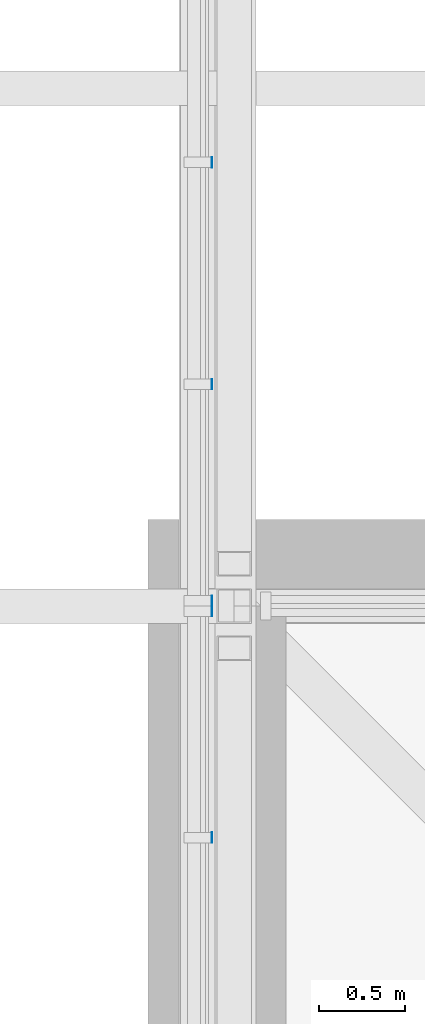
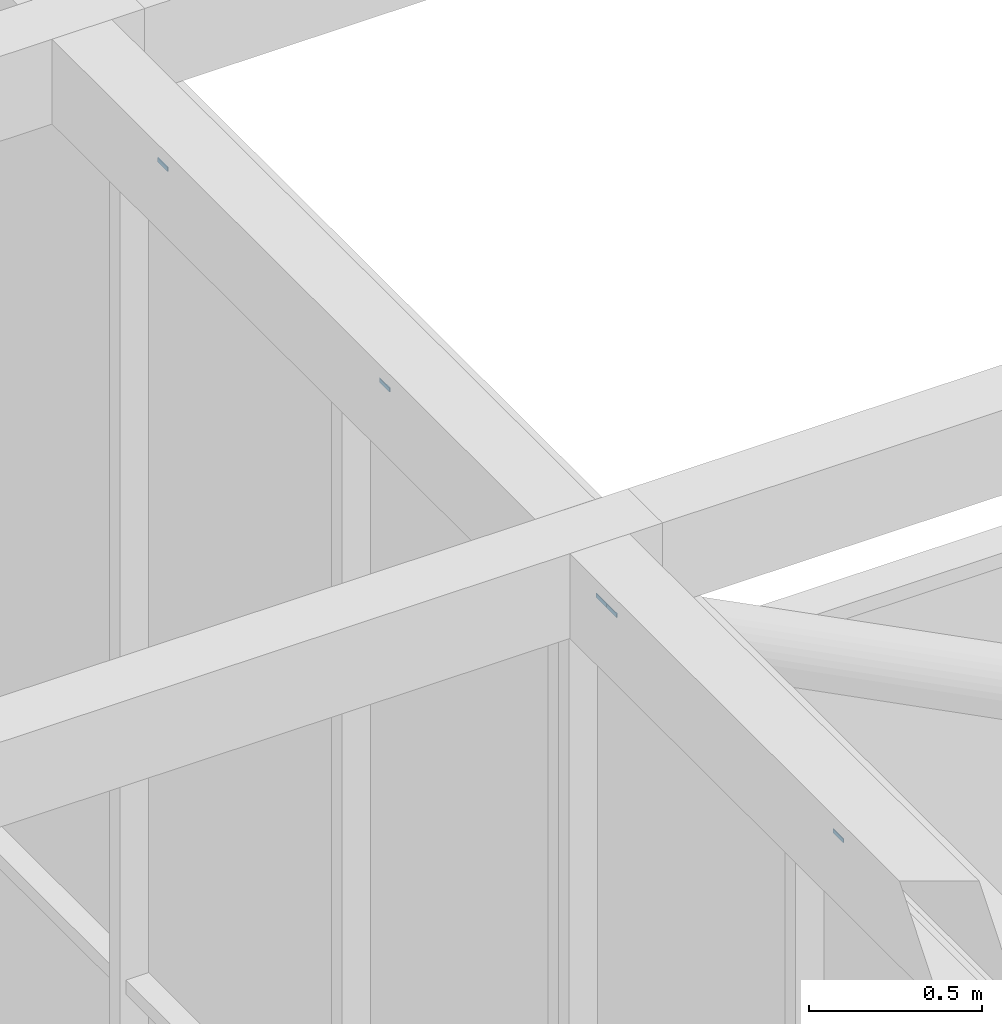
# One storey, part 621 of 646: 5 discrete accessories.
"""IFC4 building model written with IfcOpenShell, lengths in metres."""

import ifcopenshell
import ifcopenshell.guid

model = None  # the IFC model being written
_history = None  # IfcOwnerHistory: only IFC2X3 demands one
_inside = {}  # id of a spatial element -> (the spatial element, [elements in it])
_under = {}  # id of a project, library or spatial element -> (it, [spatial elements below it])
_declared = {}  # id of a project -> (the project, [libraries it declares])
_typed = {}  # id of a type object -> (the type object, [elements of that type])
_made_of = {}  # id of a material, layer set ... -> (it, [elements and type objects made of it])


def new_model(schema):
    """Start an empty IFC model of exactly this schema.

    Asked for "IFC4X3", IfcOpenShell would pick the latest addendum, in which some entities
    have other attributes; the version numbers below select the first issue.
    IFC2X3 requires an IfcOwnerHistory on every rooted entity: one is made here for all.
    """
    global model, _history
    if schema == "IFC4X3":
        model = ifcopenshell.file(schema_version=(4, 3, 0, 0))
    else:
        model = ifcopenshell.file(schema=schema)
    _inside.clear()
    _under.clear()
    _declared.clear()
    _typed.clear()
    _made_of.clear()
    _history = None
    if model.schema == "IFC2X3":
        org = make("IfcOrganization", Name="unknown")
        user = make(
            "IfcPersonAndOrganization",
            ThePerson=make("IfcPerson", FamilyName="unknown"),
            TheOrganization=org,
        )
        app = make(
            "IfcApplication",
            ApplicationDeveloper=org,
            Version="unknown",
            ApplicationFullName="unknown",
            ApplicationIdentifier="unknown",
        )
        _history = make(
            "IfcOwnerHistory",
            OwningUser=user,
            OwningApplication=app,
            ChangeAction="ADDED",
            CreationDate=0,
        )
    return model


def make(cls, **values):
    """One entity of the class cls with the attributes given. An attribute that is None is left unset."""
    return model.create_entity(
        cls, **{name: value for name, value in values.items() if value is not None}
    )


def rooted(cls, **values):
    """An entity with a GlobalId (a new one), such as an element, a storey or a relation."""
    return make(cls, GlobalId=ifcopenshell.guid.new(), OwnerHistory=_history, **values)


def si_unit(unit_type, name, prefix=None):
    """IfcSIUnit, for example si_unit("LENGTHUNIT", "METRE", prefix="MILLI")."""
    return make("IfcSIUnit", UnitType=unit_type, Prefix=prefix, Name=name)


def assignment(units):
    """IfcUnitAssignment: the units of a project."""
    return None if units is None else make("IfcUnitAssignment", Units=units)


def point(xyz):
    """IfcCartesianPoint."""
    return None if xyz is None else make("IfcCartesianPoint", Coordinates=xyz)


def direction(xyz):
    """IfcDirection."""
    return None if xyz is None else make("IfcDirection", DirectionRatios=xyz)


def frame(location, z_axis=None, x_axis=None):
    """IfcAxis2Placement3D, a coordinate frame: its origin and axes. An axis left out is left unset."""
    return make(
        "IfcAxis2Placement3D",
        Location=point(location),
        Axis=direction(z_axis),
        RefDirection=direction(x_axis),
    )


def frame_2d(location, x_axis=None):
    """IfcAxis2Placement2D, a coordinate frame in the plane: its origin and x axis."""
    return make(
        "IfcAxis2Placement2D", Location=point(location), RefDirection=direction(x_axis)
    )


def origin():
    """The frame at (0, 0, 0) with its axes left unset."""
    return frame((0.0, 0.0, 0.0))


def origin_2d():
    """The frame at (0, 0) in the plane with its x axis left unset."""
    return frame_2d((0.0, 0.0))


def place(relative_to, where):
    """IfcLocalPlacement: puts the frame where relative to a parent placement (None: the world)."""
    return make(
        "IfcLocalPlacement", PlacementRelTo=relative_to, RelativePlacement=where
    )


def context(
    kind, dimensions, precision=None, world=None, true_north=None, identifier=None
):
    """IfcGeometricRepresentationContext, for example the 3D "Model" context."""
    return make(
        "IfcGeometricRepresentationContext",
        ContextIdentifier=identifier,
        ContextType=kind,
        CoordinateSpaceDimension=dimensions,
        Precision=precision,
        WorldCoordinateSystem=world,
        TrueNorth=true_north,
    )


def subcontext(parent, identifier, kind, view, scale=None):
    """IfcGeometricRepresentationSubContext, for example "Body" below "Model"."""
    return make(
        "IfcGeometricRepresentationSubContext",
        ContextIdentifier=identifier,
        ContextType=kind,
        ParentContext=parent,
        TargetScale=scale,
        TargetView=view,
    )


def project(units=None, contexts=None):
    """IfcProject with its units and contexts."""
    return rooted(
        "IfcProject",
        Name="project",
        RepresentationContexts=contexts,
        UnitsInContext=assignment(units),
    )


def spatial(cls, under=None, at=None, **own):
    """A site, building, storey or space (cls), placed at a placement, below another one or the project."""
    s = rooted(cls, ObjectPlacement=at, **own)
    if under is not None:
        _under.setdefault(under.id(), (under, []))[1].append(s)
    return s


def profile(cls, at=None, kind="AREA", **sizes):
    """A parametric profile (cls). Its sizes go by their IFC names, for example OverallWidth=200.0."""
    return make(cls, ProfileType=kind, Position=at, **sizes)


def rectangle(**sizes):
    """IfcRectangleProfileDef."""
    return profile("IfcRectangleProfileDef", **sizes)


def extrude(swept, where, along, depth):
    """IfcExtrudedAreaSolid: the profile swept, set in the frame where, extruded along a direction by depth."""
    return make(
        "IfcExtrudedAreaSolid",
        SweptArea=swept,
        Position=where,
        ExtrudedDirection=direction(along),
        Depth=depth,
    )


def shape(context_of_items, identifier, shape_type, items):
    """IfcShapeRepresentation: the items that make up one representation, for example the "Body"."""
    return make(
        "IfcShapeRepresentation",
        ContextOfItems=context_of_items,
        RepresentationIdentifier=identifier,
        RepresentationType=shape_type,
        Items=items,
    )


def material(Name=None, Category=None):
    """IfcMaterial."""
    return make("IfcMaterial", Name=Name, Category=Category)


def made_of(thing, what):
    """Note that an element or type object is made of a material, layer set ...; save() writes the relation."""
    if what is not None:
        _made_of.setdefault(what.id(), (what, []))[1].append(thing)
    return thing


def type_object(cls, material=None, **own):
    """A type object (cls), such as IfcWallType, which elements share."""
    return made_of(rooted(cls, **own), material)


def element(
    cls,
    number,
    at=None,
    inside=None,
    cuts=None,
    type_object=None,
    material=None,
    context=None,
    identifier="Body",
    shape_type=None,
    held_by="IfcProductDefinitionShape",
    body=None,
    shapes=None,
    **own,
):
    """One element of the class cls, such as IfcWall. Its Tag is "e" and its number.

    at: its placement. inside: the storey or other place that contains it. cuts: it is an
    opening in that element (IfcRelVoidsElement). A single representation is given by context,
    identifier, shape_type and body (its items); several are given by shapes. held_by: the class
    of the entity that holds the representations. save() writes the other relations.
    """
    e = rooted(cls, Tag="e%d" % number, ObjectPlacement=at, **own)
    if body is not None:
        shapes = [shape(context, identifier, shape_type, body)]
    if shapes is not None:
        e.Representation = make(held_by, Representations=shapes)
    if inside is not None:
        _inside.setdefault(inside.id(), (inside, []))[1].append(e)
    if cuts is not None:
        rooted(
            "IfcRelVoidsElement", RelatingBuildingElement=cuts, RelatedOpeningElement=e
        )
    if type_object is not None:
        _typed.setdefault(type_object.id(), (type_object, []))[1].append(e)
    return made_of(e, material)


def aggregate(whole, parts):
    """IfcRelAggregates: a whole, such as a stair, and the parts it consists of."""
    return rooted("IfcRelAggregates", RelatingObject=whole, RelatedObjects=parts)


def save(model, path):
    """Write the relations noted so far, then the file.

    IfcRelAggregates (storeys below a building ...), IfcRelContainedInSpatialStructure (elements
    in a storey), IfcRelDefinesByType, IfcRelAssociatesMaterial and IfcRelDeclares: one each for
    every whole, place, type object, material and project.
    """
    for whole, parts in _under.values():
        aggregate(whole, parts)
    for where, things in _inside.values():
        rooted(
            "IfcRelContainedInSpatialStructure",
            RelatedElements=things,
            RelatingStructure=where,
        )
    for kind, things in _typed.values():
        rooted("IfcRelDefinesByType", RelatedObjects=things, RelatingType=kind)
    for what, things in _made_of.values():
        rooted("IfcRelAssociatesMaterial", RelatedObjects=things, RelatingMaterial=what)
    for by, libraries in _declared.values():
        rooted("IfcRelDeclares", RelatingContext=by, RelatedDefinitions=libraries)
    model.write(path)


model = new_model("IFC4")

# Units and contexts
model_context = context("Model", 3, precision=1e-05, world=origin(), true_north=direction((0.0, 1.0)))
body_context = subcontext(model_context, "Body", "Model", "MODEL_VIEW")
ifc_project = project(units=[si_unit("LENGTHUNIT", "METRE"), si_unit("AREAUNIT", "SQUARE_METRE"), si_unit("VOLUMEUNIT", "CUBIC_METRE"), si_unit("PLANEANGLEUNIT", "RADIAN"), si_unit("MASSUNIT", "GRAM", prefix="KILO")], contexts=[model_context])

# Site, building, storey
site_placement = place(None, origin())
site = spatial("IfcSite", under=ifc_project, at=site_placement, CompositionType="ELEMENT")
building_placement = place(site_placement, origin())
building = spatial("IfcBuilding", under=site, at=building_placement, Name="Silverbay Arena", CompositionType="ELEMENT")
storey_placement = place(building_placement, frame((0.0, 0.0, 33.5)))
storey = spatial("IfcBuildingStorey", under=building, at=storey_placement, Name="L05", CompositionType="ELEMENT", Elevation=33.5)

# Discrete accessories
ifc_material = material(Name="Steel S355", Category="steel")
discrete_accessory_type = type_object("IfcDiscreteAccessoryType", Name="Steel bracket plate", PredefinedType="BRACKET", material=ifc_material)
for number, where, z_axis, x_axis, name in (
    (1, (53.871337890625, 142.6572265625, 12.98583984375), (0.0, 0.0, 1.0), (1.0, 0.0, 0.0), "Curtain wall packing plate"),
    (2, (53.871337890625, 143.969970703125, 12.98583984375), (0.0, 0.0, 1.0), (1.0, 0.0, 0.0), "Curtain wall packing plate"),
    (3, (53.871337890625, 144.030029296875, 12.98583984375), (0.0, 0.0, 1.0), (1.0, 0.0, 0.0), "Curtain wall packing plate"),
    (4, (53.871337890625, 145.28564453125, 12.98583984375), (0.0, 0.0, 1.0), (1.0, 0.0, 0.0), "Curtain wall packing plate"),
    (5, (53.871337890625, 146.571533203125, 12.98583984375), (0.0, 0.0, 1.0), (1.0, 0.0, 0.0), "Curtain wall packing plate"),
):
    element("IfcDiscreteAccessory", number, at=place(storey_placement, frame(where, z_axis=z_axis, x_axis=x_axis)), inside=storey, type_object=discrete_accessory_type, Name=name, PredefinedType="BRACKET", context=body_context, shape_type="SweptSolid", body=[
        extrude(rectangle(XDim=0.002685546875, YDim=0.06005859375, at=origin_2d()), origin(), (0.0, 0.0, 1.0), 0.01416015625),
    ])

save(model, "model.ifc")
